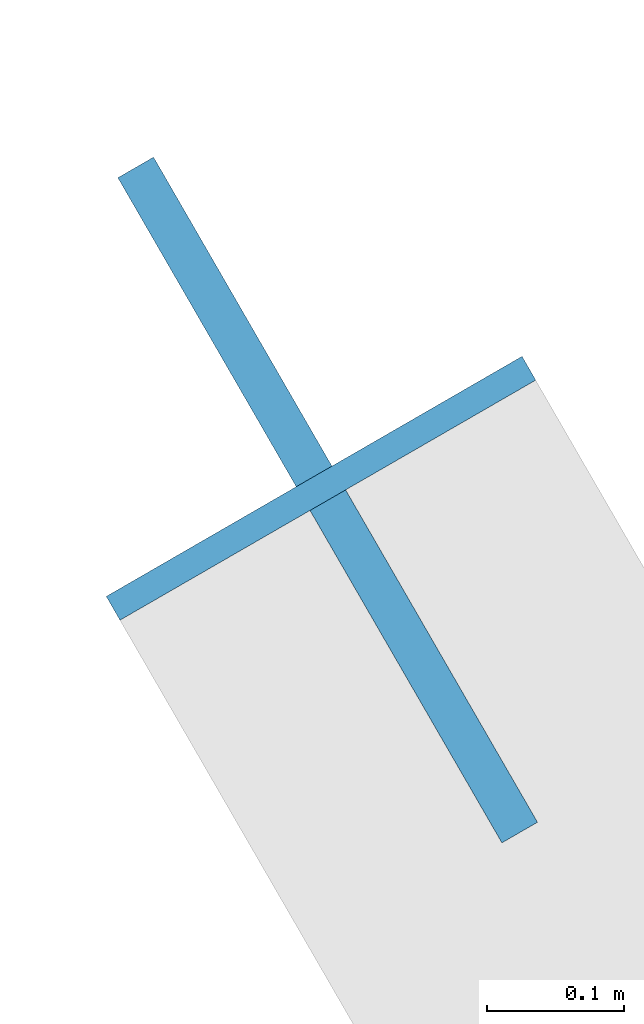
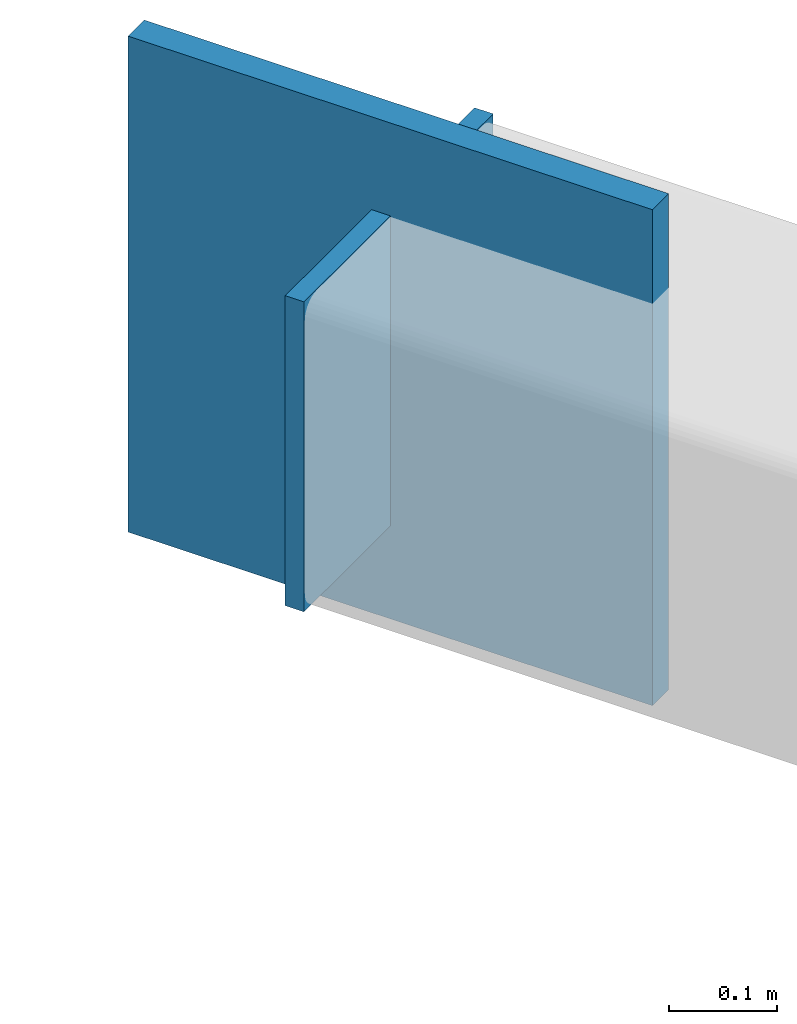
# One storey, part 19 of 21: 2 discrete accessories.
"""IFC4 building model written with IfcOpenShell, lengths in metres."""

from ifc_helpers import new_model, si_unit, direction, frame, origin, origin_2d, place, context, subcontext, project, spatial, rectangle, extrude, material, layer, layer_set, type_object, element, save


model = new_model("IFC4")

# Units and contexts
model_context = context("Model", 3, precision=1e-05, world=origin(), true_north=direction((0.0, 1.0)))
body_context = subcontext(model_context, "Body", "Model", "MODEL_VIEW")
ifc_project = project(units=[si_unit("LENGTHUNIT", "METRE"), si_unit("AREAUNIT", "SQUARE_METRE"), si_unit("VOLUMEUNIT", "CUBIC_METRE"), si_unit("PLANEANGLEUNIT", "RADIAN"), si_unit("MASSUNIT", "GRAM", prefix="KILO")], contexts=[model_context])

# Site, building, storey
site_placement = place(None, origin())
site = spatial("IfcSite", under=ifc_project, at=site_placement, CompositionType="ELEMENT")
building_placement = place(site_placement, origin())
building = spatial("IfcBuilding", under=site, at=building_placement, Name="Ayvan Gate Tower", CompositionType="ELEMENT")
storey_placement = place(building_placement, frame((0.0, 0.0, 183.300048828125)))
storey = spatial("IfcBuildingStorey", under=building, at=storey_placement, Name="L49", CompositionType="ELEMENT", Elevation=183.300048828125)

# Discrete accessories
ifc_material = material(Name="Steel S460ML", Category="steel")
ifc_layer_1 = layer(ifc_material, 0.030029296875)
ifc_layer_set_1 = layer_set([ifc_layer_1], Name="Steel S460ML")
discrete_accessory_type_1 = type_object("IfcDiscreteAccessoryType", Name="Gusset plate 30 mm", PredefinedType="BRACKET", material=ifc_layer_set_1)
discrete_accessory_1_placement = place(storey_placement, frame((2.08056640625, 39.40625, 2.39501953125), z_axis=(0.0, 0.0, 1.0), x_axis=(-0.5, 0.866025403784, 0.0)))
element("IfcDiscreteAccessory", 1, at=discrete_accessory_1_placement, inside=storey, type_object=discrete_accessory_type_1, Name="Gusset plate SBX4-B-D-4", PredefinedType="BRACKET", context=body_context, shape_type="SweptSolid", body=[
    extrude(rectangle(XDim=0.56005859375, YDim=0.030029296875, at=origin_2d()), origin(), (0.0, 0.0, 1.0), 0.56005859375),
])
ifc_layer_2 = layer(ifc_material, 0.02001953125)
ifc_layer_set_2 = layer_set([ifc_layer_2], Name="Steel S460ML")
discrete_accessory_type_2 = type_object("IfcDiscreteAccessoryType", Name="Sky bar end cap plate", PredefinedType="BRACKET", material=ifc_layer_set_2)
discrete_accessory_2_placement = place(storey_placement, frame((2.07568359375, 39.414794921875, 2.5), z_axis=(0.0, 0.0, 1.0), x_axis=(-0.5, 0.866025403784, 0.0)))
element("IfcDiscreteAccessory", 2, at=discrete_accessory_2_placement, inside=storey, type_object=discrete_accessory_type_2, Name="End cap SBX4-B-BC-4:EC", PredefinedType="BRACKET", context=body_context, shape_type="SweptSolid", body=[
    extrude(rectangle(XDim=0.02001953125, YDim=0.35009765625, at=origin_2d()), origin(), (0.0, 0.0, 1.0), 0.35009765625),
])

save(model, "model.ifc")
